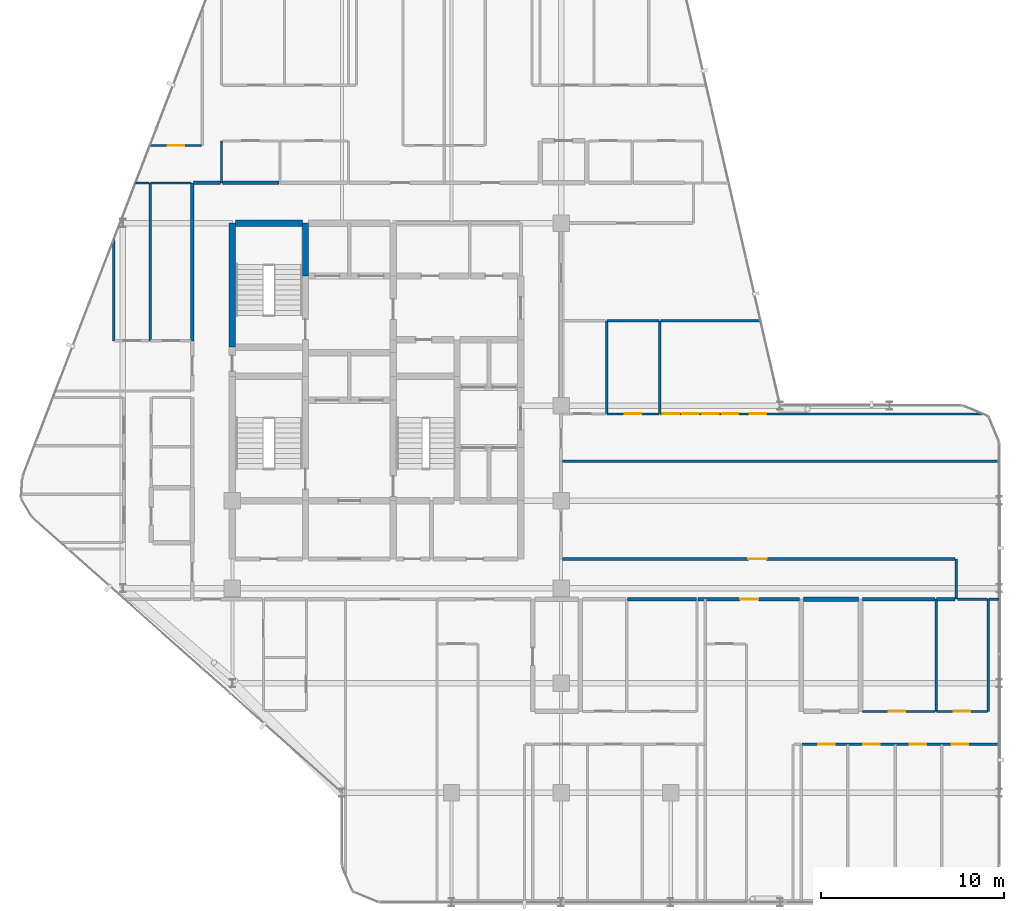
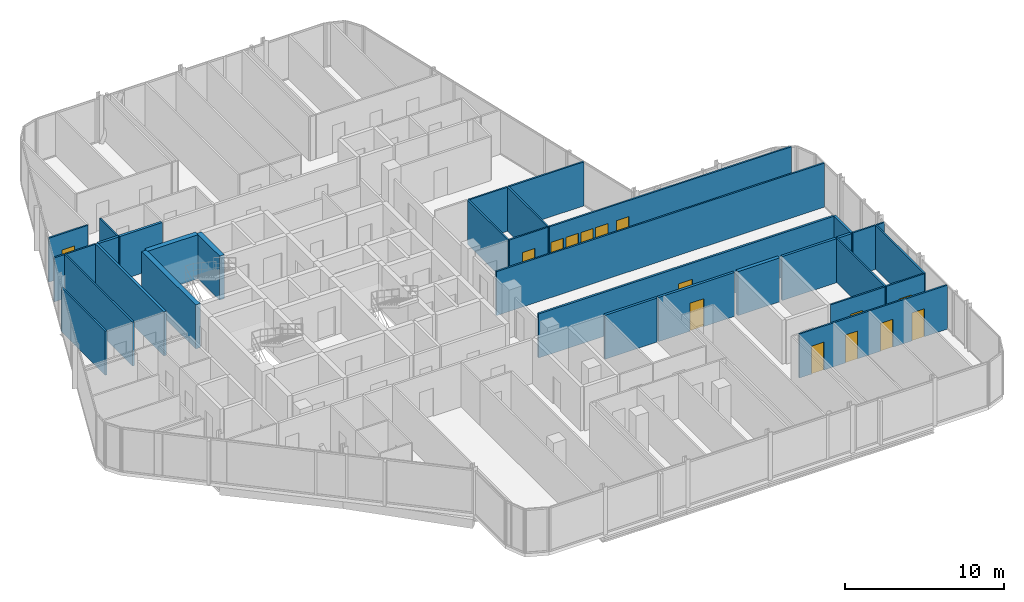
# One storey, part 26 of 29: 33 walls, 15 doors, 15 openings.
"""IFC4 building model written with IfcOpenShell, lengths in metres."""

from ifc_helpers import new_model, si_unit, direction, frame, frame_2d, origin, place, context, subcontext, project, spatial, rectangle, extrude, material, layer, layer_set, type_object, element, fill, save


model = new_model("IFC4")

# Units and contexts
model_context = context("Model", 3, precision=1e-05, world=origin(), true_north=direction((0.0, 1.0)))
body_context = subcontext(model_context, "Body", "Model", "MODEL_VIEW")
ifc_project = project(units=[si_unit("LENGTHUNIT", "METRE"), si_unit("AREAUNIT", "SQUARE_METRE"), si_unit("VOLUMEUNIT", "CUBIC_METRE"), si_unit("PLANEANGLEUNIT", "RADIAN"), si_unit("MASSUNIT", "GRAM", prefix="KILO")], contexts=[model_context])

# Site, building, storey
site_placement = place(None, origin())
site = spatial("IfcSite", under=ifc_project, at=site_placement, CompositionType="ELEMENT")
building_placement = place(site_placement, origin())
building = spatial("IfcBuilding", under=site, at=building_placement, Name="Keshet Zoharim Tower", CompositionType="ELEMENT")
storey_placement = place(building_placement, frame((0.0, 0.0, 188.39990234375)))
storey = spatial("IfcBuildingStorey", under=building, at=storey_placement, Name="L46", CompositionType="ELEMENT", Elevation=188.39990234375)

# Wall
ifc_material_1 = material(Name="Gypsum Plasterboard", Category="gypsum")
ifc_layer_1 = layer(ifc_material_1, 0.14990234375)
ifc_layer_set_1 = layer_set([ifc_layer_1], Name="Gypsum Plasterboard")
wall_type_1 = type_object("IfcWallType", Name="WL-CLIN-150", PredefinedType="STANDARD", material=ifc_layer_set_1)
wall_1_placement = place(storey_placement, frame((54.64990234375, 17.31005859375, 0.0), z_axis=(0.0, 0.0, 1.0), x_axis=(0.0, 1.0, 0.0)))
element("IfcWall", 1, at=wall_1_placement, inside=storey, type_object=wall_type_1, Name="L46 Interior Wall 101", PredefinedType="STANDARD", context=body_context, shape_type="SweptSolid", body=[
    extrude(rectangle(XDim=2.18994140625, YDim=0.14990234375, at=frame_2d((1.094970703125, 0.0))), origin(), (0.0, 0.0, 1.0), 3.39013671875),
])

# Wall, opening, door
wall_2_placement = place(storey_placement, frame((33.070068359375, 19.5, 0.0), z_axis=(0.0, 0.0, 1.0), x_axis=(1.0, 0.0, 0.0)))
wall_2 = element("IfcWall", 2, at=wall_2_placement, inside=storey, type_object=wall_type_1, Name="L46 Interior Wall 137", PredefinedType="STANDARD", context=body_context, shape_type="SweptSolid", body=[
    extrude(rectangle(XDim=21.510009765625, YDim=0.14990234375, at=frame_2d((10.7548828125, 0.0))), origin(), (0.0, 0.0, 1.0), 3.39013671875),
])
opening_1_placement = place(wall_2_placement, frame((10.18505859375, 0.0, 0.0)))
opening_1 = element("IfcOpeningElement", 3, at=opening_1_placement, cuts=wall_2, Name="Opening D-F310", PredefinedType="OPENING", context=body_context, shape_type="SweptSolid", body=[
    extrude(rectangle(XDim=1.0, YDim=2.14990234375, at=frame_2d((0.5, 1.074951171875))), frame((0.0, 0.0849609375, 0.0), z_axis=(0.0, -1.0, 0.0), x_axis=(1.0, 0.0, 0.0)), (0.0, 0.0, 1.0), 0.169921875),
])
ifc_material_2 = material(Name="Hardwood Timber", Category="wood")
door_type_1 = type_object("IfcDoorType", Name="DR-FD30-100", OperationType="NOTDEFINED", PredefinedType="DOOR", material=ifc_material_2)
door_1_placement = place(opening_1_placement, origin())
door_1 = element("IfcDoor", 4, at=door_1_placement, inside=storey, type_object=door_type_1, Name="L46 South East Residents Services Suite Door 1", OperationType="SINGLE_SWING_RIGHT", OverallHeight=2.14990234375, OverallWidth=1.0, PredefinedType="DOOR", context=body_context, shape_type="SweptSolid", body=[
    extrude(rectangle(XDim=1.0, YDim=2.14990234375, at=frame_2d((0.5, 1.074951171875))), frame((0.0, 0.02490234375, 0.0), z_axis=(0.0, -1.0, 0.0), x_axis=(1.0, 0.0, 0.0)), (0.0, 0.0, 1.0), 0.050048828125),
])
fill(opening_1, door_1)

# Walls
ifc_material_3 = material(Name="Concrete C60/75", Category="concrete")
ifc_layer_2 = layer(ifc_material_3, 0.35009765625)
ifc_layer_set_2 = layer_set([ifc_layer_2], Name="Concrete C60/75")
wall_type_2 = type_object("IfcWallType", Name="WL-CORE-350", PredefinedType="SHEAR", material=ifc_layer_set_2)
wall_3_placement = place(storey_placement, frame((15.0, 31.10009765625, 0.0), z_axis=(0.0, 0.0, 1.0), x_axis=(0.0, 1.0, 0.0)))
element("IfcWall", 5, at=wall_3_placement, inside=storey, type_object=wall_type_2, Name="L46 Core Shear Wall 019", PredefinedType="SHEAR", context=body_context, shape_type="SweptSolid", body=[
    extrude(rectangle(XDim=6.7998046875, YDim=0.35009765625, at=frame_2d((3.39990234375, 0.0))), origin(), (0.0, 0.0, 1.0), 3.39013671875),
])
wall_4_placement = place(storey_placement, frame((19.0, 35.0, 0.0), z_axis=(0.0, 0.0, 1.0), x_axis=(0.0, 1.0, 0.0)))
element("IfcWall", 6, at=wall_4_placement, inside=storey, type_object=wall_type_2, Name="L46 Core Shear Wall 028", PredefinedType="SHEAR", context=body_context, shape_type="SweptSolid", body=[
    extrude(rectangle(XDim=2.89990234375, YDim=0.35009765625, at=frame_2d((1.449951171875, 0.0))), origin(), (0.0, 0.0, 1.0), 3.39013671875),
])
wall_5_placement = place(storey_placement, frame((15.159912109375, 37.89990234375, 0.0), z_axis=(0.0, 0.0, 1.0), x_axis=(1.0, 0.0, 0.0)))
element("IfcWall", 7, at=wall_5_placement, inside=storey, type_object=wall_type_2, Name="L46 Core Shear Wall 175", PredefinedType="SHEAR", context=body_context, shape_type="SweptSolid", body=[
    extrude(rectangle(XDim=3.68017578125, YDim=0.35009765625, at=frame_2d((1.840087890625, 0.0))), origin(), (0.0, 0.0, 1.0), 3.39013671875),
])
ifc_layer_3 = layer(ifc_material_1, 0.179931640625)
ifc_layer_set_3 = layer_set([ifc_layer_3], Name="Gypsum Plasterboard")
wall_type_3 = type_object("IfcWallType", Name="WL-CORR-180", PredefinedType="STANDARD", material=ifc_layer_set_3)
wall_6_placement = place(storey_placement, frame((12.800048828125, 31.449951171875, 0.0), z_axis=(0.0, 0.0, 1.0), x_axis=(0.0, 1.0, 0.0)))
element("IfcWall", 8, at=wall_6_placement, inside=storey, type_object=wall_type_3, Name="L46 Interior Wall 012", PredefinedType="STANDARD", context=body_context, shape_type="SweptSolid", body=[
    extrude(rectangle(XDim=8.650146484375, YDim=0.179931640625, at=frame_2d((4.3251953125, 0.0))), origin(), (0.0, 0.0, 1.0), 3.39013671875),
])
wall_7_placement = place(storey_placement, frame((36.631103515625, 17.300048828125, 0.0), z_axis=(0.0, 0.0, 1.0), x_axis=(1.0, 0.0, 0.0)))
element("IfcWall", 9, at=wall_7_placement, inside=storey, type_object=wall_type_3, Name="L46 Interior Wall 126", PredefinedType="STANDARD", context=body_context, shape_type="SweptSolid", body=[
    extrude(rectangle(XDim=3.783935546875, YDim=0.179931640625, at=frame_2d((1.89208984375, 0.0))), origin(), (0.0, 0.0, 1.0), 3.39013671875),
])

# Wall, opening, door
wall_8_placement = place(storey_placement, frame((40.5048828125, 17.300048828125, 0.0), z_axis=(0.0, 0.0, 1.0), x_axis=(1.0, 0.0, 0.0)))
wall_8 = element("IfcWall", 10, at=wall_8_placement, inside=storey, type_object=wall_type_3, Name="L46 Interior Wall 127", PredefinedType="STANDARD", context=body_context, shape_type="SweptSolid", body=[
    extrude(rectangle(XDim=5.545166015625, YDim=0.179931640625, at=frame_2d((2.7724609375, 0.0))), origin(), (0.0, 0.0, 1.0), 3.39013671875),
])
opening_2_placement = place(wall_8_placement, frame((2.304931640625, 0.0, 0.0)))
opening_2 = element("IfcOpeningElement", 11, at=opening_2_placement, cuts=wall_8, Name="Opening D-F310", PredefinedType="OPENING", context=body_context, shape_type="SweptSolid", body=[
    extrude(rectangle(XDim=1.0, YDim=2.14990234375, at=frame_2d((0.5, 1.074951171875))), frame((0.0, 0.10009765625, 0.0), z_axis=(0.0, -1.0, 0.0), x_axis=(1.0, 0.0, 0.0)), (0.0, 0.0, 1.0), 0.199951171875),
])
door_2_placement = place(opening_2_placement, origin())
door_2 = element("IfcDoor", 12, at=door_2_placement, inside=storey, type_object=door_type_1, Name="Apartment 4603 Entrance Door", OperationType="SINGLE_SWING_LEFT", OverallHeight=2.14990234375, OverallWidth=1.0, PredefinedType="DOOR", context=body_context, shape_type="SweptSolid", body=[
    extrude(rectangle(XDim=1.0, YDim=2.14990234375, at=frame_2d((0.5, 1.074951171875))), frame((0.0, 0.02490234375, 0.0), z_axis=(0.0, -1.0, 0.0), x_axis=(1.0, 0.0, 0.0)), (0.0, 0.0, 1.0), 0.050048828125),
])
fill(opening_2, door_2)

# Walls
wall_9_placement = place(storey_placement, frame((49.52294921875, 17.300048828125, 0.0), z_axis=(0.0, 0.0, 1.0), x_axis=(1.0, 0.0, 0.0)))
element("IfcWall", 13, at=wall_9_placement, inside=storey, type_object=wall_type_3, Name="L46 Interior Wall 129", PredefinedType="STANDARD", context=body_context, shape_type="SweptSolid", body=[
    extrude(rectangle(XDim=3.9580078125, YDim=0.179931640625, at=frame_2d((1.97900390625, 0.0))), origin(), (0.0, 0.0, 1.0), 3.39013671875),
])
wall_10_placement = place(storey_placement, frame((53.571044921875, 17.300048828125, 0.0), z_axis=(0.0, 0.0, 1.0), x_axis=(1.0, 0.0, 0.0)))
element("IfcWall", 14, at=wall_10_placement, inside=storey, type_object=wall_type_3, Name="L46 Interior Wall 130", PredefinedType="STANDARD", context=body_context, shape_type="SweptSolid", body=[
    extrude(rectangle(XDim=1.009033203125, YDim=0.179931640625, at=frame_2d((0.50439453125, 0.0))), origin(), (0.0, 0.0, 1.0), 3.39013671875),
])
wall_11_placement = place(storey_placement, frame((12.875, 40.10009765625, 0.0), z_axis=(0.0, 0.0, 1.0), x_axis=(1.0, 0.0, 0.0)))
element("IfcWall", 15, at=wall_11_placement, inside=storey, type_object=wall_type_3, Name="L46 Interior Wall 182", PredefinedType="STANDARD", context=body_context, shape_type="SweptSolid", body=[
    extrude(rectangle(XDim=1.47998046875, YDim=0.179931640625, at=frame_2d((0.739990234375, 0.0))), origin(), (0.0, 0.0, 1.0), 3.39013671875),
])
wall_12_placement = place(storey_placement, frame((14.445068359375, 40.10009765625, 0.0), z_axis=(0.0, 0.0, 1.0), x_axis=(1.0, 0.0, 0.0)))
element("IfcWall", 16, at=wall_12_placement, inside=storey, type_object=wall_type_3, Name="L46 Interior Wall 183", PredefinedType="STANDARD", context=body_context, shape_type="SweptSolid", body=[
    extrude(rectangle(XDim=3.10205078125, YDim=0.179931640625, at=frame_2d((1.551025390625, 0.0))), origin(), (0.0, 0.0, 1.0), 3.39013671875),
])
ifc_material_4 = material(Name="Concrete C50/60", Category="concrete")
ifc_layer_4 = layer(ifc_material_4, 0.25)
ifc_layer_set_4 = layer_set([ifc_layer_4], Name="Concrete C50/60")
wall_type_4 = type_object("IfcWallType", Name="WL-MAMAD-250", PredefinedType="STANDARD", material=ifc_layer_set_4)
wall_13_placement = place(storey_placement, frame((46.27001953125, 17.300048828125, 0.0), z_axis=(0.0, 0.0, 1.0), x_axis=(1.0, 0.0, 0.0)))
element("IfcWall", 17, at=wall_13_placement, inside=storey, type_object=wall_type_4, Name="L46 Interior Wall 128", PredefinedType="STANDARD", context=body_context, shape_type="SweptSolid", body=[
    extrude(rectangle(XDim=3.032958984375, YDim=0.25, at=frame_2d((1.5166015625, 0.0))), origin(), (0.0, 0.0, 1.0), 3.39013671875),
])
ifc_layer_5 = layer(ifc_material_1, 0.1201171875)
ifc_layer_set_5 = layer_set([ifc_layer_5], Name="Gypsum Plasterboard")
wall_type_5 = type_object("IfcWallType", Name="WL-PART-120", PredefinedType="PARTITIONING", material=ifc_layer_set_5)
wall_14_placement = place(storey_placement, frame((8.5, 31.449951171875, 0.0), z_axis=(0.0, 0.0, 1.0), x_axis=(0.0, 1.0, 0.0)))
element("IfcWall", 18, at=wall_14_placement, inside=storey, type_object=wall_type_5, Name="L46 Interior Wall 001", PredefinedType="PARTITIONING", context=body_context, shape_type="SweptSolid", body=[
    extrude(rectangle(XDim=5.5400390625, YDim=0.1201171875, at=frame_2d((2.77001953125, 0.0))), origin(), (0.0, 0.0, 1.0), 3.39013671875),
])
wall_15_placement = place(storey_placement, frame((14.39990234375, 40.10009765625, 0.0), z_axis=(0.0, 0.0, 1.0), x_axis=(0.0, 1.0, 0.0)))
element("IfcWall", 19, at=wall_15_placement, inside=storey, type_object=wall_type_5, Name="L46 Interior Wall 014", PredefinedType="PARTITIONING", context=body_context, shape_type="SweptSolid", body=[
    extrude(rectangle(XDim=2.2998046875, YDim=0.1201171875, at=frame_2d((1.14990234375, 0.0))), origin(), (0.0, 0.0, 1.0), 3.39013671875),
])

# Wall, openings, doors
wall_16_placement = place(storey_placement, frame((46.205078125, 9.35009765625, 0.0), z_axis=(0.0, 0.0, 1.0), x_axis=(1.0, 0.0, 0.0)))
wall_16 = element("IfcWall", 20, at=wall_16_placement, inside=storey, type_object=wall_type_5, Name="L46 Interior Wall 107", PredefinedType="PARTITIONING", context=body_context, shape_type="SweptSolid", body=[
    extrude(rectangle(XDim=10.784912109375, YDim=0.1201171875, at=frame_2d((5.392578125, 0.0))), origin(), (0.0, 0.0, 1.0), 3.39013671875),
])
opening_3_placement = place(wall_16_placement, frame((0.882080078125, 0.0, 0.0)))
opening_3 = element("IfcOpeningElement", 21, at=opening_3_placement, cuts=wall_16, Name="Opening D-IN90", PredefinedType="OPENING", context=body_context, shape_type="SweptSolid", body=[
    extrude(rectangle(XDim=0.89990234375, YDim=2.14990234375, at=frame_2d((0.449951171875, 1.074951171875))), frame((0.0, 0.070068359375, 0.0), z_axis=(0.0, -1.0, 0.0), x_axis=(1.0, 0.0, 0.0)), (0.0, 0.0, 1.0), 0.14013671875),
])
opening_4_placement = place(wall_16_placement, frame((3.342041015625, 0.0, 0.0)))
opening_4 = element("IfcOpeningElement", 22, at=opening_4_placement, cuts=wall_16, Name="Opening D-IN90", PredefinedType="OPENING", context=body_context, shape_type="SweptSolid", body=[
    extrude(rectangle(XDim=0.89990234375, YDim=2.14990234375, at=frame_2d((0.449951171875, 1.074951171875))), frame((0.0, 0.070068359375, 0.0), z_axis=(0.0, -1.0, 0.0), x_axis=(1.0, 0.0, 0.0)), (0.0, 0.0, 1.0), 0.14013671875),
])
opening_5_placement = place(wall_16_placement, frame((5.89794921875, 0.0, 0.0)))
opening_5 = element("IfcOpeningElement", 23, at=opening_5_placement, cuts=wall_16, Name="Opening D-IN90", PredefinedType="OPENING", context=body_context, shape_type="SweptSolid", body=[
    extrude(rectangle(XDim=0.89990234375, YDim=2.14990234375, at=frame_2d((0.449951171875, 1.074951171875))), frame((0.0, 0.070068359375, 0.0), z_axis=(0.0, -1.0, 0.0), x_axis=(1.0, 0.0, 0.0)), (0.0, 0.0, 1.0), 0.14013671875),
])
opening_6_placement = place(wall_16_placement, frame((8.2041015625, 0.0, 0.0)))
opening_6 = element("IfcOpeningElement", 24, at=opening_6_placement, cuts=wall_16, Name="Opening D-IN90", PredefinedType="OPENING", context=body_context, shape_type="SweptSolid", body=[
    extrude(rectangle(XDim=0.89990234375, YDim=2.14990234375, at=frame_2d((0.449951171875, 1.074951171875))), frame((0.0, 0.070068359375, 0.0), z_axis=(0.0, -1.0, 0.0), x_axis=(1.0, 0.0, 0.0)), (0.0, 0.0, 1.0), 0.14013671875),
])
door_type_2 = type_object("IfcDoorType", Name="DR-INT-090", OperationType="NOTDEFINED", PredefinedType="DOOR", material=ifc_material_2)
door_3_placement = place(opening_3_placement, origin())
door_3 = element("IfcDoor", 25, at=door_3_placement, inside=storey, type_object=door_type_2, Name="Apartment 4603 Bedroom 1 Door", OperationType="SINGLE_SWING_LEFT", OverallHeight=2.14990234375, OverallWidth=0.89990234375, PredefinedType="DOOR", context=body_context, shape_type="SweptSolid", body=[
    extrude(rectangle(XDim=0.89990234375, YDim=2.14990234375, at=frame_2d((0.449951171875, 1.074951171875))), frame((0.0, 0.02490234375, 0.0), z_axis=(0.0, -1.0, 0.0), x_axis=(1.0, 0.0, 0.0)), (0.0, 0.0, 1.0), 0.050048828125),
])
fill(opening_3, door_3)
door_4_placement = place(opening_4_placement, origin())
door_4 = element("IfcDoor", 26, at=door_4_placement, inside=storey, type_object=door_type_2, Name="Apartment 4603 Bedroom 2 Door", OperationType="SINGLE_SWING_RIGHT", OverallHeight=2.14990234375, OverallWidth=0.89990234375, PredefinedType="DOOR", context=body_context, shape_type="SweptSolid", body=[
    extrude(rectangle(XDim=0.89990234375, YDim=2.14990234375, at=frame_2d((0.449951171875, 1.074951171875))), frame((0.0, 0.02490234375, 0.0), z_axis=(0.0, -1.0, 0.0), x_axis=(1.0, 0.0, 0.0)), (0.0, 0.0, 1.0), 0.050048828125),
])
fill(opening_4, door_4)
door_5_placement = place(opening_5_placement, origin())
door_5 = element("IfcDoor", 27, at=door_5_placement, inside=storey, type_object=door_type_2, Name="Apartment 4603 Bedroom 3 Door", OperationType="SINGLE_SWING_LEFT", OverallHeight=2.14990234375, OverallWidth=0.89990234375, PredefinedType="DOOR", context=body_context, shape_type="SweptSolid", body=[
    extrude(rectangle(XDim=0.89990234375, YDim=2.14990234375, at=frame_2d((0.449951171875, 1.074951171875))), frame((0.0, 0.02490234375, 0.0), z_axis=(0.0, -1.0, 0.0), x_axis=(1.0, 0.0, 0.0)), (0.0, 0.0, 1.0), 0.050048828125),
])
fill(opening_5, door_5)
door_6_placement = place(opening_6_placement, origin())
door_6 = element("IfcDoor", 28, at=door_6_placement, inside=storey, type_object=door_type_2, Name="Apartment 4603 Bedroom 4 Door", OperationType="SINGLE_SWING_RIGHT", OverallHeight=2.14990234375, OverallWidth=0.89990234375, PredefinedType="DOOR", context=body_context, shape_type="SweptSolid", body=[
    extrude(rectangle(XDim=0.89990234375, YDim=2.14990234375, at=frame_2d((0.449951171875, 1.074951171875))), frame((0.0, 0.02490234375, 0.0), z_axis=(0.0, -1.0, 0.0), x_axis=(1.0, 0.0, 0.0)), (0.0, 0.0, 1.0), 0.050048828125),
])
fill(opening_6, door_6)

# Wall, opening, door
wall_17_placement = place(storey_placement, frame((49.52294921875, 11.14990234375, 0.0), z_axis=(0.0, 0.0, 1.0), x_axis=(1.0, 0.0, 0.0)))
wall_17 = element("IfcWall", 29, at=wall_17_placement, inside=storey, type_object=wall_type_5, Name="L46 Interior Wall 112", PredefinedType="PARTITIONING", context=body_context, shape_type="SweptSolid", body=[
    extrude(rectangle(XDim=3.9580078125, YDim=0.1201171875, at=frame_2d((1.97900390625, 0.0))), origin(), (0.0, 0.0, 1.0), 3.39013671875),
])
opening_7_placement = place(wall_17_placement, frame((1.425048828125, 0.0, 0.0)))
opening_7 = element("IfcOpeningElement", 30, at=opening_7_placement, cuts=wall_17, Name="Opening D-IN90", PredefinedType="OPENING", context=body_context, shape_type="SweptSolid", body=[
    extrude(rectangle(XDim=0.89990234375, YDim=2.14990234375, at=frame_2d((0.449951171875, 1.074951171875))), frame((0.0, 0.070068359375, 0.0), z_axis=(0.0, -1.0, 0.0), x_axis=(1.0, 0.0, 0.0)), (0.0, 0.0, 1.0), 0.14013671875),
])
door_7_placement = place(opening_7_placement, origin())
door_7 = element("IfcDoor", 31, at=door_7_placement, inside=storey, type_object=door_type_2, Name="Apartment 4603 Kitchen Door", OperationType="SINGLE_SWING_RIGHT", OverallHeight=2.14990234375, OverallWidth=0.89990234375, PredefinedType="DOOR", context=body_context, shape_type="SweptSolid", body=[
    extrude(rectangle(XDim=0.89990234375, YDim=2.14990234375, at=frame_2d((0.449951171875, 1.074951171875))), frame((0.0, 0.02490234375, 0.0), z_axis=(0.0, -1.0, 0.0), x_axis=(1.0, 0.0, 0.0)), (0.0, 0.0, 1.0), 0.050048828125),
])
fill(opening_7, door_7)

# Walls
wall_18_placement = place(storey_placement, frame((56.43505859375, 17.300048828125, 0.0), z_axis=(0.0, 0.0, 1.0), x_axis=(1.0, 0.0, 0.0)))
element("IfcWall", 32, at=wall_18_placement, inside=storey, type_object=wall_type_5, Name="L46 Interior Wall 132", PredefinedType="PARTITIONING", context=body_context, shape_type="SweptSolid", body=[
    extrude(rectangle(XDim=0.554931640625, YDim=0.1201171875, at=frame_2d((0.27734375, 0.0))), origin(), (0.0, 0.0, 1.0), 3.39013671875),
])
wall_19_placement = place(storey_placement, frame((33.0849609375, 24.85009765625, 0.0), z_axis=(0.0, 0.0, 1.0), x_axis=(1.0, 0.0, 0.0)))
element("IfcWall", 33, at=wall_19_placement, inside=storey, type_object=wall_type_5, Name="L46 Interior Wall 148", PredefinedType="PARTITIONING", context=body_context, shape_type="SweptSolid", body=[
    extrude(rectangle(XDim=23.905029296875, YDim=0.1201171875, at=frame_2d((11.95263671875, 0.0))), origin(), (0.0, 0.0, 1.0), 3.39013671875),
])

# Wall, openings, doors
wall_20_placement = place(storey_placement, frame((38.445068359375, 27.449951171875, 0.0), z_axis=(0.0, 0.0, 1.0), x_axis=(1.0, 0.0, 0.0)))
wall_20 = element("IfcWall", 34, at=wall_20_placement, inside=storey, type_object=wall_type_5, Name="L46 Interior Wall 154", PredefinedType="PARTITIONING", context=body_context, shape_type="SweptSolid", body=[
    extrude(rectangle(XDim=17.630859375, YDim=0.1201171875, at=frame_2d((8.8154296875, 0.0))), origin(), (0.0, 0.0, 1.0), 3.39013671875),
])
opening_8_placement = place(wall_20_placement, frame((4.8798828125, 0.0, 0.0)))
opening_8 = element("IfcOpeningElement", 35, at=opening_8_placement, cuts=wall_20, Name="Opening D-IN90", PredefinedType="OPENING", context=body_context, shape_type="SweptSolid", body=[
    extrude(rectangle(XDim=0.89990234375, YDim=2.14990234375, at=frame_2d((0.449951171875, 1.074951171875))), frame((0.0, 0.070068359375, 0.0), z_axis=(0.0, -1.0, 0.0), x_axis=(1.0, 0.0, 0.0)), (0.0, 0.0, 1.0), 0.14013671875),
])
opening_9_placement = place(wall_20_placement, frame((0.1201171875, 0.0, 0.0)))
opening_9 = element("IfcOpeningElement", 36, at=opening_9_placement, cuts=wall_20, Name="Opening D-IN90", PredefinedType="OPENING", context=body_context, shape_type="SweptSolid", body=[
    extrude(rectangle(XDim=0.89990234375, YDim=2.14990234375, at=frame_2d((0.449951171875, 1.074951171875))), frame((0.0, 0.070068359375, 0.0), z_axis=(0.0, -1.0, 0.0), x_axis=(1.0, 0.0, 0.0)), (0.0, 0.0, 1.0), 0.14013671875),
])
opening_10_placement = place(wall_20_placement, frame((1.202880859375, 0.0, 0.0)))
opening_10 = element("IfcOpeningElement", 37, at=opening_10_placement, cuts=wall_20, Name="Opening D-IN90", PredefinedType="OPENING", context=body_context, shape_type="SweptSolid", body=[
    extrude(rectangle(XDim=0.89990234375, YDim=2.14990234375, at=frame_2d((0.449951171875, 1.074951171875))), frame((0.0, 0.070068359375, 0.0), z_axis=(0.0, -1.0, 0.0), x_axis=(1.0, 0.0, 0.0)), (0.0, 0.0, 1.0), 0.14013671875),
])
opening_11_placement = place(wall_20_placement, frame((2.287109375, 0.0, 0.0)))
opening_11 = element("IfcOpeningElement", 38, at=opening_11_placement, cuts=wall_20, Name="Opening D-IN90", PredefinedType="OPENING", context=body_context, shape_type="SweptSolid", body=[
    extrude(rectangle(XDim=0.89990234375, YDim=2.14990234375, at=frame_2d((0.449951171875, 1.074951171875))), frame((0.0, 0.070068359375, 0.0), z_axis=(0.0, -1.0, 0.0), x_axis=(1.0, 0.0, 0.0)), (0.0, 0.0, 1.0), 0.14013671875),
])
opening_12_placement = place(wall_20_placement, frame((3.3701171875, 0.0, 0.0)))
opening_12 = element("IfcOpeningElement", 39, at=opening_12_placement, cuts=wall_20, Name="Opening D-IN90", PredefinedType="OPENING", context=body_context, shape_type="SweptSolid", body=[
    extrude(rectangle(XDim=0.89990234375, YDim=2.14990234375, at=frame_2d((0.449951171875, 1.074951171875))), frame((0.0, 0.070068359375, 0.0), z_axis=(0.0, -1.0, 0.0), x_axis=(1.0, 0.0, 0.0)), (0.0, 0.0, 1.0), 0.14013671875),
])
door_8_placement = place(opening_8_placement, origin())
door_8 = element("IfcDoor", 40, at=door_8_placement, inside=storey, type_object=door_type_2, Name="Apartment 4608 Bedroom 1 Access Door", OperationType="SINGLE_SWING_RIGHT", OverallHeight=2.14990234375, OverallWidth=0.89990234375, PredefinedType="DOOR", context=body_context, shape_type="SweptSolid", body=[
    extrude(rectangle(XDim=0.89990234375, YDim=2.14990234375, at=frame_2d((0.449951171875, 1.074951171875))), frame((0.0, 0.02490234375, 0.0), z_axis=(0.0, -1.0, 0.0), x_axis=(1.0, 0.0, 0.0)), (0.0, 0.0, 1.0), 0.050048828125),
])
fill(opening_8, door_8)
door_9_placement = place(opening_9_placement, origin())
door_9 = element("IfcDoor", 41, at=door_9_placement, inside=storey, type_object=door_type_2, Name="Apartment 4608 Bedroom 1 Access Door", OperationType="SINGLE_SWING_LEFT", OverallHeight=2.14990234375, OverallWidth=0.89990234375, PredefinedType="DOOR", context=body_context, shape_type="SweptSolid", body=[
    extrude(rectangle(XDim=0.89990234375, YDim=2.14990234375, at=frame_2d((0.449951171875, 1.074951171875))), frame((0.0, 0.02490234375, 0.0), z_axis=(0.0, -1.0, 0.0), x_axis=(1.0, 0.0, 0.0)), (0.0, 0.0, 1.0), 0.050048828125),
])
fill(opening_9, door_9)
door_10_placement = place(opening_10_placement, origin())
door_10 = element("IfcDoor", 42, at=door_10_placement, inside=storey, type_object=door_type_2, Name="Apartment 4608 Bedroom 1 Access Door", OperationType="SINGLE_SWING_RIGHT", OverallHeight=2.14990234375, OverallWidth=0.89990234375, PredefinedType="DOOR", context=body_context, shape_type="SweptSolid", body=[
    extrude(rectangle(XDim=0.89990234375, YDim=2.14990234375, at=frame_2d((0.449951171875, 1.074951171875))), frame((0.0, 0.02490234375, 0.0), z_axis=(0.0, -1.0, 0.0), x_axis=(1.0, 0.0, 0.0)), (0.0, 0.0, 1.0), 0.050048828125),
])
fill(opening_10, door_10)
door_11_placement = place(opening_11_placement, origin())
door_11 = element("IfcDoor", 43, at=door_11_placement, inside=storey, type_object=door_type_2, Name="Apartment 4608 Bedroom 1 Access Door", OperationType="SINGLE_SWING_LEFT", OverallHeight=2.14990234375, OverallWidth=0.89990234375, PredefinedType="DOOR", context=body_context, shape_type="SweptSolid", body=[
    extrude(rectangle(XDim=0.89990234375, YDim=2.14990234375, at=frame_2d((0.449951171875, 1.074951171875))), frame((0.0, 0.02490234375, 0.0), z_axis=(0.0, -1.0, 0.0), x_axis=(1.0, 0.0, 0.0)), (0.0, 0.0, 1.0), 0.050048828125),
])
fill(opening_11, door_11)
door_12_placement = place(opening_12_placement, origin())
door_12 = element("IfcDoor", 44, at=door_12_placement, inside=storey, type_object=door_type_2, Name="Apartment 4608 Bedroom 1 Door", OperationType="SINGLE_SWING_RIGHT", OverallHeight=2.14990234375, OverallWidth=0.89990234375, PredefinedType="DOOR", context=body_context, shape_type="SweptSolid", body=[
    extrude(rectangle(XDim=0.89990234375, YDim=2.14990234375, at=frame_2d((0.449951171875, 1.074951171875))), frame((0.0, 0.02490234375, 0.0), z_axis=(0.0, -1.0, 0.0), x_axis=(1.0, 0.0, 0.0)), (0.0, 0.0, 1.0), 0.050048828125),
])
fill(opening_12, door_12)

# Walls
wall_21_placement = place(storey_placement, frame((38.445068359375, 32.550048828125, 0.0), z_axis=(0.0, 0.0, 1.0), x_axis=(1.0, 0.0, 0.0)))
element("IfcWall", 45, at=wall_21_placement, inside=storey, type_object=wall_type_5, Name="L46 Interior Wall 171", PredefinedType="PARTITIONING", context=body_context, shape_type="SweptSolid", body=[
    extrude(rectangle(XDim=5.471923828125, YDim=0.1201171875, at=frame_2d((2.73583984375, 0.0))), origin(), (0.0, 0.0, 1.0), 3.39013671875),
])
wall_22_placement = place(storey_placement, frame((9.701904296875, 40.10009765625, 0.0), z_axis=(0.0, 0.0, 1.0), x_axis=(1.0, 0.0, 0.0)))
element("IfcWall", 46, at=wall_22_placement, inside=storey, type_object=wall_type_5, Name="L46 Interior Wall 180", PredefinedType="PARTITIONING", context=body_context, shape_type="SweptSolid", body=[
    extrude(rectangle(XDim=0.731201171875, YDim=0.1201171875, at=frame_2d((0.36572265625, 0.0))), origin(), (0.0, 0.0, 1.0), 3.39013671875),
])

# Wall, opening, door
wall_23_placement = place(storey_placement, frame((10.490966796875, 42.14990234375, 0.0), z_axis=(0.0, 0.0, 1.0), x_axis=(1.0, 0.0, 0.0)))
wall_23 = element("IfcWall", 47, at=wall_23_placement, inside=storey, type_object=wall_type_5, Name="L46 Interior Wall 192", PredefinedType="PARTITIONING", context=body_context, shape_type="SweptSolid", body=[
    extrude(rectangle(XDim=2.828125, YDim=0.1201171875, at=frame_2d((1.4140625, 0.0))), origin(), (0.0, 0.0, 1.0), 3.39013671875),
])
opening_13_placement = place(wall_23_placement, frame((0.962890625, 0.0, 0.0)))
opening_13 = element("IfcOpeningElement", 48, at=opening_13_placement, cuts=wall_23, Name="Opening D-IN90", PredefinedType="OPENING", context=body_context, shape_type="SweptSolid", body=[
    extrude(rectangle(XDim=0.89990234375, YDim=2.14990234375, at=frame_2d((0.449951171875, 1.074951171875))), frame((0.0, 0.070068359375, 0.0), z_axis=(0.0, -1.0, 0.0), x_axis=(1.0, 0.0, 0.0)), (0.0, 0.0, 1.0), 0.14013671875),
])
door_13_placement = place(opening_13_placement, origin())
door_13 = element("IfcDoor", 49, at=door_13_placement, inside=storey, type_object=door_type_2, Name="Apartment 4604 Home Study Room Door", OperationType="SINGLE_SWING_LEFT", OverallHeight=2.14990234375, OverallWidth=0.89990234375, PredefinedType="DOOR", context=body_context, shape_type="SweptSolid", body=[
    extrude(rectangle(XDim=0.89990234375, YDim=2.14990234375, at=frame_2d((0.449951171875, 1.074951171875))), frame((0.0, 0.02490234375, 0.0), z_axis=(0.0, -1.0, 0.0), x_axis=(1.0, 0.0, 0.0)), (0.0, 0.0, 1.0), 0.050048828125),
])
fill(opening_13, door_13)

# Walls
ifc_layer_6 = layer(ifc_material_1, 0.1201171875)
ifc_layer_set_6 = layer_set([ifc_layer_6], Name="Gypsum Plasterboard")
wall_type_6 = type_object("IfcWallType", Name="WL-WET-120", PredefinedType="PARTITIONING", material=ifc_layer_set_6)
wall_24_placement = place(storey_placement, frame((10.5, 31.449951171875, 0.0), z_axis=(0.0, 0.0, 1.0), x_axis=(0.0, 1.0, 0.0)))
element("IfcWall", 50, at=wall_24_placement, inside=storey, type_object=wall_type_6, Name="L46 Interior Wall 003", PredefinedType="PARTITIONING", context=body_context, shape_type="SweptSolid", body=[
    extrude(rectangle(XDim=8.650146484375, YDim=0.1201171875, at=frame_2d((4.3251953125, 0.0))), origin(), (0.0, 0.0, 1.0), 3.39013671875),
])
for number, where, z_axis, x_axis, name in (
    (51, (35.5, 27.469970703125, 0.0), (0.0, 0.0, 1.0), (0.0, 1.0, 0.0), "L46 Interior Wall 079"),
    (52, (38.39990234375, 27.469970703125, 0.0), (0.0, 0.0, 1.0), (0.0, 1.0, 0.0), "L46 Interior Wall 084"),
):
    element("IfcWall", number, at=place(storey_placement, frame(where, z_axis=z_axis, x_axis=x_axis)), inside=storey, type_object=wall_type_6, Name=name, PredefinedType="PARTITIONING", context=body_context, shape_type="SweptSolid", body=[
        extrude(rectangle(XDim=5.070068359375, YDim=0.1201171875, at=frame_2d((2.53515625, 0.0))), origin(), (0.0, 0.0, 1.0), 3.39013671875),
    ])
for number, where, z_axis, x_axis, name in (
    (53, (53.550048828125, 11.14990234375, 0.0), (0.0, 0.0, 1.0), (0.0, 1.0, 0.0), "L46 Interior Wall 099"),
    (54, (56.39990234375, 11.14990234375, 0.0), (0.0, 0.0, 1.0), (0.0, 1.0, 0.0), "L46 Interior Wall 102"),
):
    element("IfcWall", number, at=place(storey_placement, frame(where, z_axis=z_axis, x_axis=x_axis)), inside=storey, type_object=wall_type_6, Name=name, PredefinedType="PARTITIONING", context=body_context, shape_type="SweptSolid", body=[
        extrude(rectangle(XDim=6.150146484375, YDim=0.1201171875, at=frame_2d((3.0751953125, 0.0))), origin(), (0.0, 0.0, 1.0), 3.39013671875),
    ])

# Wall, opening, door
wall_25_placement = place(storey_placement, frame((53.571044921875, 11.14990234375, 0.0), z_axis=(0.0, 0.0, 1.0), x_axis=(1.0, 0.0, 0.0)))
wall_25 = element("IfcWall", 55, at=wall_25_placement, inside=storey, type_object=wall_type_6, Name="L46 Interior Wall 113", PredefinedType="PARTITIONING", context=body_context, shape_type="SweptSolid", body=[
    extrude(rectangle(XDim=2.77392578125, YDim=0.1201171875, at=frame_2d((1.386962890625, 0.0))), origin(), (0.0, 0.0, 1.0), 3.39013671875),
])
opening_14_placement = place(wall_25_placement, frame((0.93701171875, 0.0, 0.0)))
opening_14 = element("IfcOpeningElement", 56, at=opening_14_placement, cuts=wall_25, Name="Opening D-WT90", PredefinedType="OPENING", context=body_context, shape_type="SweptSolid", body=[
    extrude(rectangle(XDim=0.89990234375, YDim=2.10009765625, at=frame_2d((0.449951171875, 1.050048828125))), frame((0.0, 0.070068359375, 0.0), z_axis=(0.0, -1.0, 0.0), x_axis=(1.0, 0.0, 0.0)), (0.0, 0.0, 1.0), 0.14013671875),
])
door_type_3 = type_object("IfcDoorType", Name="DR-WET-090", OperationType="NOTDEFINED", PredefinedType="DOOR", material=ifc_material_2)
door_14_placement = place(opening_14_placement, origin())
door_14 = element("IfcDoor", 57, at=door_14_placement, inside=storey, type_object=door_type_3, Name="Apartment 4603 Bathroom Door", OperationType="SINGLE_SWING_LEFT", OverallHeight=2.10009765625, OverallWidth=0.89990234375, PredefinedType="DOOR", context=body_context, shape_type="SweptSolid", body=[
    extrude(rectangle(XDim=0.89990234375, YDim=2.10009765625, at=frame_2d((0.449951171875, 1.050048828125))), frame((0.0, 0.02490234375, 0.0), z_axis=(0.0, -1.0, 0.0), x_axis=(1.0, 0.0, 0.0)), (0.0, 0.0, 1.0), 0.050048828125),
])
fill(opening_14, door_14)

# Wall
wall_26_placement = place(storey_placement, frame((54.7099609375, 17.300048828125, 0.0), z_axis=(0.0, 0.0, 1.0), x_axis=(1.0, 0.0, 0.0)))
element("IfcWall", 58, at=wall_26_placement, inside=storey, type_object=wall_type_6, Name="L46 Interior Wall 131", PredefinedType="PARTITIONING", context=body_context, shape_type="SweptSolid", body=[
    extrude(rectangle(XDim=1.635009765625, YDim=0.1201171875, at=frame_2d((0.8173828125, 0.0))), origin(), (0.0, 0.0, 1.0), 3.39013671875),
])

# Wall, opening, door
wall_27_placement = place(storey_placement, frame((35.529052734375, 27.449951171875, 0.0), z_axis=(0.0, 0.0, 1.0), x_axis=(1.0, 0.0, 0.0)))
wall_27 = element("IfcWall", 59, at=wall_27_placement, inside=storey, type_object=wall_type_6, Name="L46 Interior Wall 153", PredefinedType="PARTITIONING", context=body_context, shape_type="SweptSolid", body=[
    extrude(rectangle(XDim=2.825927734375, YDim=0.1201171875, at=frame_2d((1.4130859375, 0.0))), origin(), (0.0, 0.0, 1.0), 3.39013671875),
])
opening_15_placement = place(wall_27_placement, frame((0.962890625, 0.0, 0.0)))
opening_15 = element("IfcOpeningElement", 60, at=opening_15_placement, cuts=wall_27, Name="Opening D-WT90", PredefinedType="OPENING", context=body_context, shape_type="SweptSolid", body=[
    extrude(rectangle(XDim=0.89990234375, YDim=2.10009765625, at=frame_2d((0.449951171875, 1.050048828125))), frame((0.0, 0.070068359375, 0.0), z_axis=(0.0, -1.0, 0.0), x_axis=(1.0, 0.0, 0.0)), (0.0, 0.0, 1.0), 0.14013671875),
])
door_15_placement = place(opening_15_placement, origin())
door_15 = element("IfcDoor", 61, at=door_15_placement, inside=storey, type_object=door_type_3, Name="Apartment 4608 Bathroom Door", OperationType="SINGLE_SWING_LEFT", OverallHeight=2.10009765625, OverallWidth=0.89990234375, PredefinedType="DOOR", context=body_context, shape_type="SweptSolid", body=[
    extrude(rectangle(XDim=0.89990234375, YDim=2.10009765625, at=frame_2d((0.449951171875, 1.050048828125))), frame((0.0, 0.02490234375, 0.0), z_axis=(0.0, -1.0, 0.0), x_axis=(1.0, 0.0, 0.0)), (0.0, 0.0, 1.0), 0.050048828125),
])
fill(opening_15, door_15)

# Walls
wall_28_placement = place(storey_placement, frame((35.529052734375, 32.550048828125, 0.0), z_axis=(0.0, 0.0, 1.0), x_axis=(1.0, 0.0, 0.0)))
element("IfcWall", 62, at=wall_28_placement, inside=storey, type_object=wall_type_6, Name="L46 Interior Wall 170", PredefinedType="PARTITIONING", context=body_context, shape_type="SweptSolid", body=[
    extrude(rectangle(XDim=2.825927734375, YDim=0.1201171875, at=frame_2d((1.4130859375, 0.0))), origin(), (0.0, 0.0, 1.0), 3.39013671875),
])
wall_29_placement = place(storey_placement, frame((10.52294921875, 40.10009765625, 0.0), z_axis=(0.0, 0.0, 1.0), x_axis=(1.0, 0.0, 0.0)))
element("IfcWall", 63, at=wall_29_placement, inside=storey, type_object=wall_type_6, Name="L46 Interior Wall 181", PredefinedType="PARTITIONING", context=body_context, shape_type="SweptSolid", body=[
    extrude(rectangle(XDim=2.2021484375, YDim=0.1201171875, at=frame_2d((1.10107421875, 0.0))), origin(), (0.0, 0.0, 1.0), 3.39013671875),
])

save(model, "model.ifc")
